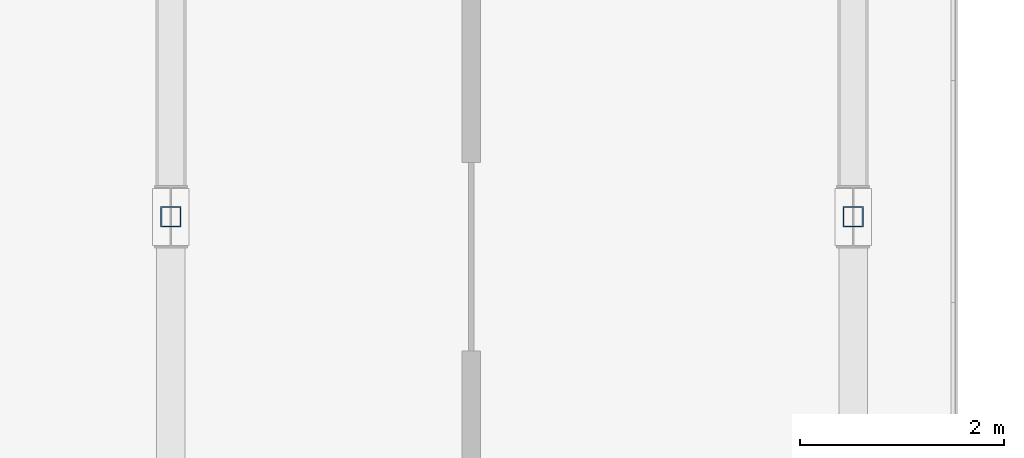
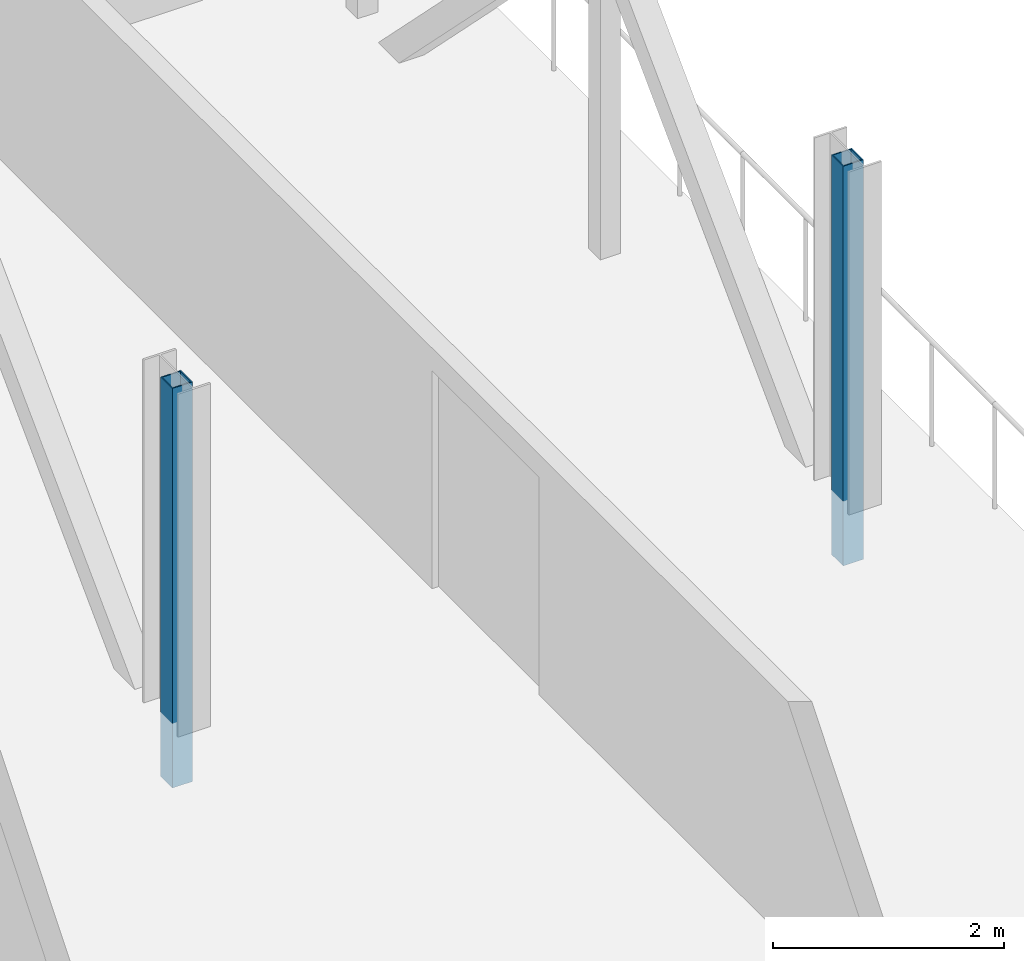
# One storey, part 54 of 107: 2 members.
"""IFC4 building model written with IfcOpenShell, lengths in metres."""

from ifc_helpers import new_model, si_unit, derived_unit, direction, frame, origin, origin_2d, place, context, subcontext, project, spatial, hollow_rectangle, extrude, material, material_profile, profile_set, type_object, element, save


model = new_model("IFC4")

# Units and contexts
model_context = context("Model", 3, precision=1e-05, world=origin(), true_north=direction((0.0, 1.0)))
body_context = subcontext(model_context, "Body", "Model", "MODEL_VIEW")
ifc_project = project(units=[si_unit("LENGTHUNIT", "METRE"), si_unit("AREAUNIT", "SQUARE_METRE"), si_unit("VOLUMEUNIT", "CUBIC_METRE"), si_unit("PLANEANGLEUNIT", "RADIAN"), si_unit("MASSUNIT", "GRAM", prefix="KILO"), derived_unit("THERMALTRANSMITTANCEUNIT", [(si_unit("MASSUNIT", "GRAM", prefix="KILO"), 1), (si_unit("TIMEUNIT", "SECOND"), -3), (si_unit("THERMODYNAMICTEMPERATUREUNIT", "KELVIN"), -1)])], contexts=[model_context])

# Site, building, storey
site_placement = place(None, origin())
site = spatial("IfcSite", under=ifc_project, at=site_placement, CompositionType="ELEMENT")
building_placement = place(site_placement, origin())
building = spatial("IfcBuilding", under=site, at=building_placement, Name="Makaiwela Harbour Ferry Terminal", CompositionType="ELEMENT")
storey_placement = place(building_placement, frame((0.0, 0.0, 9.60009765625)))
storey = spatial("IfcBuildingStorey", under=building, at=storey_placement, Name="L02", CompositionType="ELEMENT", Elevation=9.60009765625)

# Members
ifc_material = material(Name="Steel ASTM A500 Grade C", Category="steel")
ifc_material_profile = material_profile(ifc_material, hollow_rectangle(XDim=0.202880859375, YDim=0.202880859375, WallThickness=0.01171875, at=origin_2d()), Name="HSS8X8X1/2")
ifc_profile_set = profile_set([ifc_material_profile], Name="Steel ASTM A500 Grade C")
member_type = type_object("IfcMemberType", Name="STR-PST-HSS8", PredefinedType="POST", material=ifc_profile_set)
for number, where, z_axis, x_axis, name in (
    (1, (97.449951171875, 95.0, -0.685546875), (0.0, 0.0, 1.0), (1.0, 0.0, 0.0), "Structural Member PS-01"),
    (2, (104.14990234375, 95.0, -0.685546875), (0.0, 0.0, 1.0), (1.0, 0.0, 0.0), "Structural Member PS-01"),
):
    element("IfcMember", number, at=place(storey_placement, frame(where, z_axis=z_axis, x_axis=x_axis)), inside=storey, type_object=member_type, Name=name, PredefinedType="POST", context=body_context, shape_type="SweptSolid", body=[
        extrude(hollow_rectangle(XDim=0.202880859375, YDim=0.202880859375, WallThickness=0.01171875, at=origin_2d()), origin(), (0.0, 0.0, 1.0), 4.219970703125),
    ])

save(model, "model.ifc")
